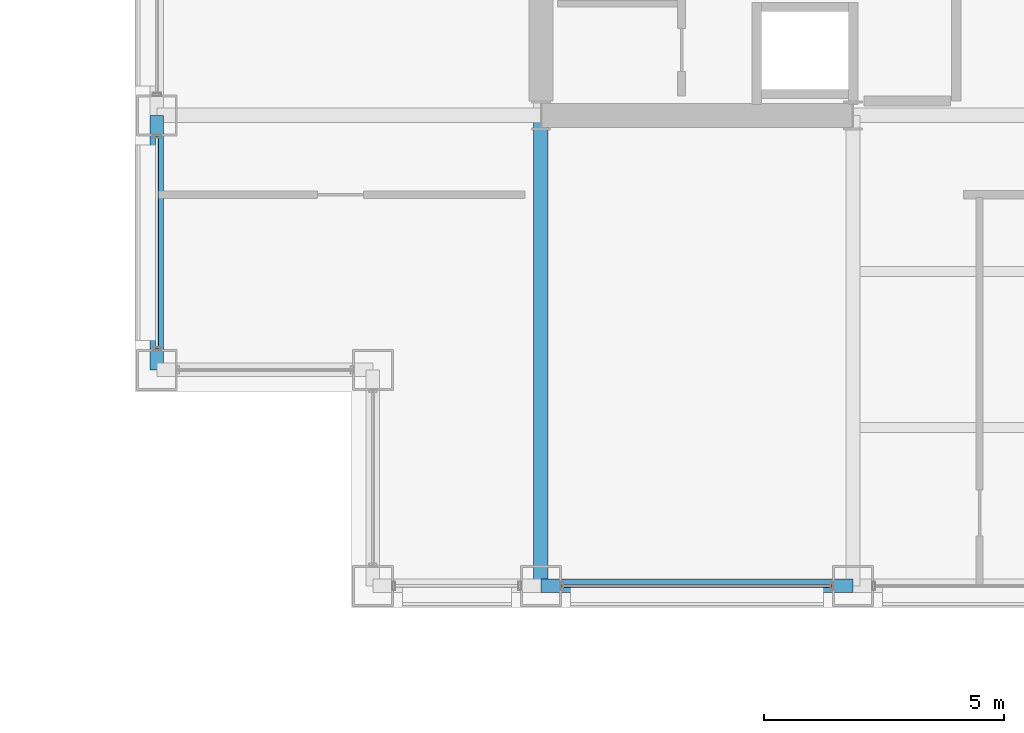
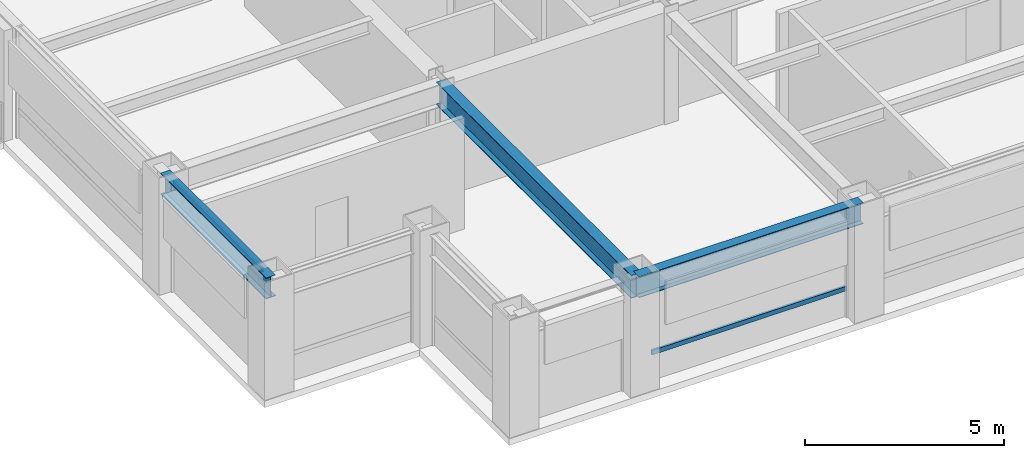
# One storey, part 3 of 30: 3 beams, 2 members, 2 elements without a shape of their own.
"""IFC4 building model written with IfcOpenShell, lengths in metres."""

from ifc_helpers import new_model, si_unit, direction, frame, origin, origin_2d, place, context, subcontext, project, spatial, hollow_rectangle, i_section, extrude, material, layer, layer_set, material_profile, profile_set, type_object, element, aggregate, save


model = new_model("IFC4")

# Units and contexts
model_context = context("Model", 3, precision=1e-05, world=origin(), true_north=direction((0.0, 1.0)))
body_context = subcontext(model_context, "Body", "Model", "MODEL_VIEW")
ifc_project = project(units=[si_unit("LENGTHUNIT", "METRE"), si_unit("AREAUNIT", "SQUARE_METRE"), si_unit("VOLUMEUNIT", "CUBIC_METRE"), si_unit("PLANEANGLEUNIT", "RADIAN"), si_unit("MASSUNIT", "GRAM", prefix="KILO")], contexts=[model_context])

# Site, building, storey
site_placement = place(None, origin())
site = spatial("IfcSite", under=ifc_project, at=site_placement, CompositionType="ELEMENT")
building_placement = place(site_placement, origin())
building = spatial("IfcBuilding", under=site, at=building_placement, Name="Brelmoor Portico Tower", CompositionType="ELEMENT")
storey_placement = place(building_placement, frame((0.0, 0.0, 102.60009765625)))
storey = spatial("IfcBuildingStorey", under=building, at=storey_placement, Name="L26", CompositionType="ELEMENT", Elevation=102.60009765625)

# Beams
ifc_material_1 = material(Name="Steel Q355B", Category="steel")
ifc_material_profile_1 = material_profile(ifc_material_1, i_section(OverallWidth=0.300048828125, OverallDepth=0.699951171875, WebThickness=0.012939453125, FlangeThickness=0.02392578125, at=origin_2d()), Name="HN 700x300x13x24")
ifc_profile_set_1 = profile_set([ifc_material_profile_1], Name="Steel Q355B")
beam_type_1 = type_object("IfcBeamType", Name="BM-PG-700", PredefinedType="BEAM", material=ifc_profile_set_1)
beam_1_placement = place(storey_placement, frame((-14.550048828125, -19.550048828125, 3.0498046875), z_axis=(0.0, 1.0, 0.0), x_axis=(-1.0, 0.0, 0.0)))
element("IfcBeam", 1, at=beam_1_placement, inside=storey, type_object=beam_type_1, Name="L26 Primary Floor Girder PG-01", PredefinedType="BEAM", context=body_context, shape_type="SweptSolid", body=[
    extrude(i_section(OverallWidth=0.300048828125, OverallDepth=0.699951171875, WebThickness=0.012939453125, FlangeThickness=0.02392578125, at=origin_2d()), origin(), (0.0, 0.0, 1.0), 9.800048828125),
])
ifc_material_profile_2 = material_profile(ifc_material_1, i_section(OverallWidth=0.280029296875, OverallDepth=0.64990234375, WebThickness=0.012939453125, FlangeThickness=0.02197265625, at=origin_2d()), Name="HN 650x280x13x22")
ifc_profile_set_2 = profile_set([ifc_material_profile_2], Name="Steel Q355B")
beam_type_2 = type_object("IfcBeamType", Name="BM-SP-650", PredefinedType="SPANDREL", material=ifc_profile_set_2)
beam_2_placement = place(storey_placement, frame((-14.550048828125, -19.550048828125, 3.074951171875), z_axis=(1.0, 0.0, 0.0), x_axis=(0.0, 1.0, 0.0)))
element("IfcBeam", 2, at=beam_2_placement, inside=storey, type_object=beam_type_2, Name="L26 Perimeter Spandrel Beam SP-02", PredefinedType="SPANDREL", context=body_context, shape_type="SweptSolid", body=[
    extrude(i_section(OverallWidth=0.280029296875, OverallDepth=0.64990234375, WebThickness=0.012939453125, FlangeThickness=0.02197265625, at=origin_2d()), origin(), (0.0, 0.0, 1.0), 6.5),
])
beam_3_placement = place(storey_placement, frame((-22.550048828125, -15.050048828125, 3.074951171875), z_axis=(0.0, 1.0, 0.0), x_axis=(-1.0, 0.0, 0.0)))
element("IfcBeam", 3, at=beam_3_placement, inside=storey, type_object=beam_type_2, Name="L26 Perimeter Spandrel Beam SP-15", PredefinedType="SPANDREL", context=body_context, shape_type="SweptSolid", body=[
    extrude(i_section(OverallWidth=0.280029296875, OverallDepth=0.64990234375, WebThickness=0.012939453125, FlangeThickness=0.02197265625, at=origin_2d()), origin(), (0.0, 0.0, 1.0), 5.300048828125),
])

# Curtain wall, member
ifc_material_2 = material(Name="Anodised Aluminium Alloy 6063-T6", Category="aluminium")
ifc_layer_1 = layer(ifc_material_2, 0.179931640625)
ifc_layer_set_1 = layer_set([ifc_layer_1], Name="Anodised Aluminium Alloy 6063-T6")
curtain_wall_type_1 = type_object("IfcCurtainWallType", Name="CW-TOWER-Z2", PredefinedType="NOTDEFINED", material=ifc_layer_set_1)
curtain_wall_1_placement = place(storey_placement, origin())
curtain_wall_1 = element("IfcCurtainWall", 4, at=curtain_wall_1_placement, inside=storey, type_object=curtain_wall_type_1, Name="L26 Curtain Wall CW-L26-1L-2", PredefinedType="NOTDEFINED")
ifc_material_profile_3 = material_profile(ifc_material_2, hollow_rectangle(XDim=0.06494140625, YDim=0.139892578125, WallThickness=0.00390625, at=origin_2d()), Name="ALU TRANSOM 65x140")
ifc_profile_set_3 = profile_set([ifc_material_profile_3], Name="Anodised Aluminium Alloy 6063-T6")
member_type = type_object("IfcMemberType", Name="MB-CW-TRAN-140", PredefinedType="USERDEFINED", material=ifc_profile_set_3)
member_1_placement = place(storey_placement, frame((-14.114990234375, -19.550048828125, 0.849853515625), z_axis=(1.0, 0.0, 0.0), x_axis=(0.0, 1.0, 0.0)))
member_1 = element("IfcMember", 5, at=member_1_placement, type_object=member_type, Name="CW-L26-1L-2 Transom 1-00", ObjectType="TRANSOM", PredefinedType="USERDEFINED", context=body_context, shape_type="SweptSolid", body=[
    extrude(hollow_rectangle(XDim=0.06494140625, YDim=0.139892578125, WallThickness=0.00390625, at=origin_2d()), origin(), (0.0, 0.0, 1.0), 5.6298828125),
])
aggregate(curtain_wall_1, [member_1])

ifc_layer_2 = layer(ifc_material_2, 0.179931640625)
ifc_layer_set_2 = layer_set([ifc_layer_2], Name="Anodised Aluminium Alloy 6063-T6")
curtain_wall_type_2 = type_object("IfcCurtainWallType", Name="CW-TOWER-Z2-XB", PredefinedType="NOTDEFINED", material=ifc_layer_set_2)
curtain_wall_2_placement = place(storey_placement, origin())
curtain_wall_2 = element("IfcCurtainWall", 6, at=curtain_wall_2_placement, inside=storey, type_object=curtain_wall_type_2, Name="L26 Curtain Wall CW-L26-3L-1", PredefinedType="NOTDEFINED")
member_2_placement = place(storey_placement, frame((-22.550048828125, -14.614990234375, 3.329833984375), z_axis=(0.0, 1.0, 0.0), x_axis=(-1.0, 0.0, 0.0)))
member_2 = element("IfcMember", 7, at=member_2_placement, type_object=member_type, Name="CW-L26-3L-1 Transom 1-00", ObjectType="TRANSOM", PredefinedType="USERDEFINED", context=body_context, shape_type="SweptSolid", body=[
    extrude(hollow_rectangle(XDim=0.06494140625, YDim=0.139892578125, WallThickness=0.00390625, at=origin_2d()), origin(), (0.0, 0.0, 1.0), 4.429931640625),
])
aggregate(curtain_wall_2, [member_2])

save(model, "model.ifc")
